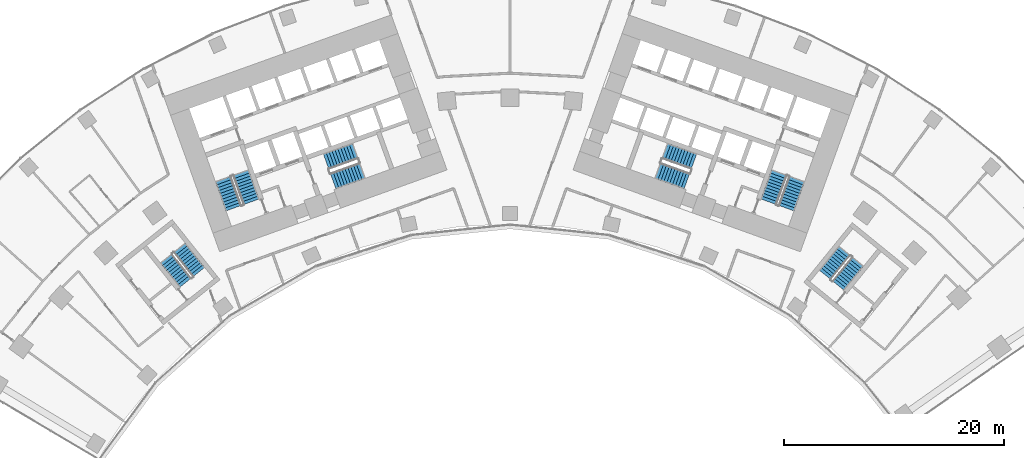
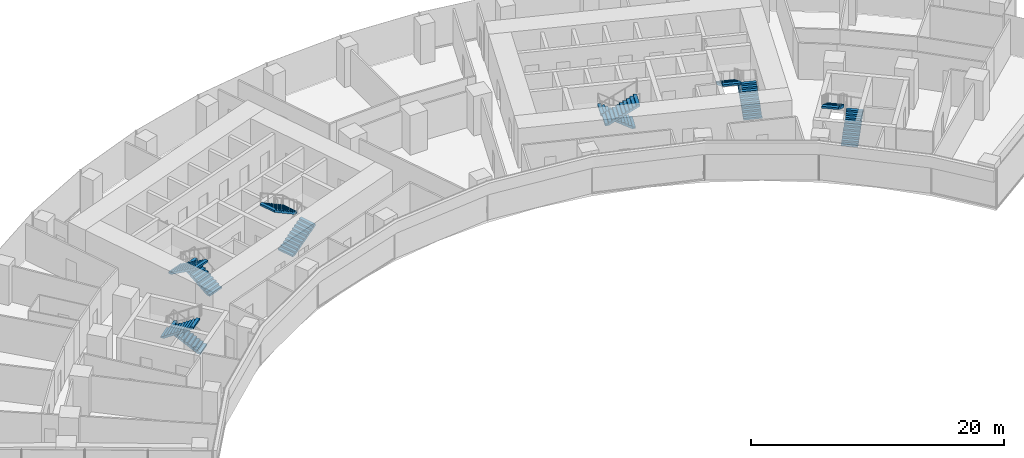
# One storey, part 19 of 21: 12 stair flights, 6 elements without a shape of their own.
"""IFC4 building model written with IfcOpenShell, lengths in metres."""

from ifc_helpers import new_model, si_unit, direction, frame, origin, place, context, subcontext, project, spatial, polyline, outline, extrude, material, type_object, element, aggregate, save


model = new_model("IFC4")

# Units and contexts
model_context = context("Model", 3, precision=1e-05, world=origin(), true_north=direction((0.0, 1.0)))
body_context = subcontext(model_context, "Body", "Model", "MODEL_VIEW")
ifc_project = project(units=[si_unit("LENGTHUNIT", "METRE"), si_unit("AREAUNIT", "SQUARE_METRE"), si_unit("VOLUMEUNIT", "CUBIC_METRE"), si_unit("PLANEANGLEUNIT", "RADIAN"), si_unit("MASSUNIT", "GRAM", prefix="KILO")], contexts=[model_context])

# Site, building, storey
site_placement = place(None, origin())
site = spatial("IfcSite", under=ifc_project, at=site_placement, CompositionType="ELEMENT")
building_placement = place(site_placement, origin())
building = spatial("IfcBuilding", under=site, at=building_placement, Name="Stone Belt Terrace Tower", CompositionType="ELEMENT")
storey_placement = place(building_placement, frame((0.0, 0.0, 60.39990234375)))
storey = spatial("IfcBuildingStorey", under=building, at=storey_placement, Name="L14", CompositionType="ELEMENT", Elevation=60.39990234375)

# Stair, stair flights
ifc_material = material(Name="Concrete B40", Category="concrete")
stair_type = type_object("IfcStairType", Name="Exit stair 1500", PredefinedType="HALF_TURN_STAIR", material=ifc_material)
stair_1_placement = place(storey_placement, origin())
stair_1 = element("IfcStair", 1, at=stair_1_placement, inside=storey, type_object=stair_type, Name="L14 Exit stair 1 core A", PredefinedType="HALF_TURN_STAIR")
stair_flight_type = type_object("IfcStairFlightType", Name="Stair flight 1500", PredefinedType="STRAIGHT", material=ifc_material)
stair_flight_1_placement = place(storey_placement, frame((-23.55322265625, 45.51318359375, 0.0), z_axis=(0.0, 0.0, 1.0), x_axis=(-0.338624396177, 0.940921632398, 0.0)))
stair_flight_1 = element("IfcStairFlight", 2, at=stair_flight_1_placement, type_object=stair_flight_type, Name="ST1A flight 1", NumberOfRisers=11, NumberOfTreads=10, PredefinedType="STRAIGHT", RiserHeight=0.172727273, TreadLength=0.28, context=body_context, shape_type="SweptSolid", body=[
    extrude(outline(polyline([(0.0, 0.0), (0.0, 0.172607421875), (0.280029296875, 0.172607421875), (0.280029296875, 0.345458984375), (0.56005859375, 0.345458984375), (0.56005859375, 0.51806640625), (0.840087890625, 0.51806640625), (0.840087890625, 0.69091796875), (1.1201171875, 0.69091796875), (1.1201171875, 0.863525390625), (1.39990234375, 0.863525390625), (1.39990234375, 1.036376953125), (1.679931640625, 1.036376953125), (1.679931640625, 1.208984375), (1.9599609375, 1.208984375), (1.9599609375, 1.3818359375), (2.239990234375, 1.3818359375), (2.239990234375, 1.554443359375), (2.52001953125, 1.554443359375), (2.52001953125, 1.727294921875), (2.800048828125, 1.727294921875), (2.800048828125, 1.89990234375), (2.800048828125, 1.551025390625), (0.285400390625, 0.0), (0.0, 0.0)])), frame((0.0, 0.75, 0.0), z_axis=(0.0, -1.0, 0.0), x_axis=(1.0, 0.0, 0.0)), (0.0, 0.0, 1.0), 1.5),
])
stair_flight_2_placement = place(storey_placement, frame((-26.10107421875, 47.572021484375, 1.900146484375), z_axis=(0.0, 0.0, 1.0), x_axis=(0.338624396177, -0.940921632398, 0.0)))
stair_flight_2 = element("IfcStairFlight", 3, at=stair_flight_2_placement, type_object=stair_flight_type, Name="ST1A flight 2", NumberOfRisers=11, NumberOfTreads=10, PredefinedType="STRAIGHT", RiserHeight=0.172727273, TreadLength=0.28, context=body_context, shape_type="SweptSolid", body=[
    extrude(outline(polyline([(0.0, 0.0), (0.0, 0.172607421875), (0.280029296875, 0.172607421875), (0.280029296875, 0.345458984375), (0.56005859375, 0.345458984375), (0.56005859375, 0.51806640625), (0.840087890625, 0.51806640625), (0.840087890625, 0.69091796875), (1.1201171875, 0.69091796875), (1.1201171875, 0.863525390625), (1.39990234375, 0.863525390625), (1.39990234375, 1.036376953125), (1.679931640625, 1.036376953125), (1.679931640625, 1.208984375), (1.9599609375, 1.208984375), (1.9599609375, 1.3818359375), (2.239990234375, 1.3818359375), (2.239990234375, 1.554443359375), (2.52001953125, 1.554443359375), (2.52001953125, 1.727294921875), (2.800048828125, 1.727294921875), (2.800048828125, 1.89990234375), (2.800048828125, 1.551025390625), (0.285400390625, 0.0), (0.0, 0.0)])), frame((0.0, 0.75, 0.0), z_axis=(0.0, -1.0, 0.0), x_axis=(1.0, 0.0, 0.0)), (0.0, 0.0, 1.0), 1.5),
])
aggregate(stair_1, [stair_flight_1, stair_flight_2])

stair_2_placement = place(storey_placement, origin())
stair_2 = element("IfcStair", 4, at=stair_2_placement, inside=storey, type_object=stair_type, Name="L14 Exit stair 2 core A", PredefinedType="HALF_TURN_STAIR")
stair_flight_3_placement = place(storey_placement, frame((-16.101318359375, 47.39794921875, 0.0), z_axis=(0.0, 0.0, 1.0), x_axis=(0.940921632398, 0.338624396177, 0.0)))
stair_flight_3 = element("IfcStairFlight", 5, at=stair_flight_3_placement, type_object=stair_flight_type, Name="ST2A flight 1", NumberOfRisers=11, NumberOfTreads=10, PredefinedType="STRAIGHT", RiserHeight=0.172727273, TreadLength=0.28, context=body_context, shape_type="SweptSolid", body=[
    extrude(outline(polyline([(0.0, 0.0), (0.0, 0.172607421875), (0.280029296875, 0.172607421875), (0.280029296875, 0.345458984375), (0.56005859375, 0.345458984375), (0.56005859375, 0.51806640625), (0.840087890625, 0.51806640625), (0.840087890625, 0.69091796875), (1.1201171875, 0.69091796875), (1.1201171875, 0.863525390625), (1.39990234375, 0.863525390625), (1.39990234375, 1.036376953125), (1.679931640625, 1.036376953125), (1.679931640625, 1.208984375), (1.9599609375, 1.208984375), (1.9599609375, 1.3818359375), (2.239990234375, 1.3818359375), (2.239990234375, 1.554443359375), (2.52001953125, 1.554443359375), (2.52001953125, 1.727294921875), (2.800048828125, 1.727294921875), (2.800048828125, 1.89990234375), (2.800048828125, 1.551025390625), (0.285400390625, 0.0), (0.0, 0.0)])), frame((0.0, 0.75, 0.0), z_axis=(0.0, -1.0, 0.0), x_axis=(1.0, 0.0, 0.0)), (0.0, 0.0, 1.0), 1.5),
])
stair_flight_4_placement = place(storey_placement, frame((-14.110107421875, 50.1337890625, 1.900146484375), z_axis=(0.0, 0.0, 1.0), x_axis=(-0.940921632398, -0.338624396177, 0.0)))
stair_flight_4 = element("IfcStairFlight", 6, at=stair_flight_4_placement, type_object=stair_flight_type, Name="ST2A flight 2", NumberOfRisers=11, NumberOfTreads=10, PredefinedType="STRAIGHT", RiserHeight=0.172727273, TreadLength=0.28, context=body_context, shape_type="SweptSolid", body=[
    extrude(outline(polyline([(0.0, 0.0), (0.0, 0.172607421875), (0.280029296875, 0.172607421875), (0.280029296875, 0.345458984375), (0.56005859375, 0.345458984375), (0.56005859375, 0.51806640625), (0.840087890625, 0.51806640625), (0.840087890625, 0.69091796875), (1.1201171875, 0.69091796875), (1.1201171875, 0.863525390625), (1.39990234375, 0.863525390625), (1.39990234375, 1.036376953125), (1.679931640625, 1.036376953125), (1.679931640625, 1.208984375), (1.9599609375, 1.208984375), (1.9599609375, 1.3818359375), (2.239990234375, 1.3818359375), (2.239990234375, 1.554443359375), (2.52001953125, 1.554443359375), (2.52001953125, 1.727294921875), (2.800048828125, 1.727294921875), (2.800048828125, 1.89990234375), (2.800048828125, 1.551025390625), (0.285400390625, 0.0), (0.0, 0.0)])), frame((0.0, 0.75, 0.0), z_axis=(0.0, -1.0, 0.0), x_axis=(1.0, 0.0, 0.0)), (0.0, 0.0, 1.0), 1.5),
])
aggregate(stair_2, [stair_flight_3, stair_flight_4])

stair_3_placement = place(storey_placement, origin())
stair_3 = element("IfcStair", 7, at=stair_3_placement, inside=storey, type_object=stair_type, Name="L14 Exit stair 1 core B", PredefinedType="HALF_TURN_STAIR")
stair_flight_5_placement = place(storey_placement, frame((25.15283203125, 44.9375, 0.0), z_axis=(0.0, 0.0, 1.0), x_axis=(0.338624396177, 0.940921632398, 0.0)))
stair_flight_5 = element("IfcStairFlight", 8, at=stair_flight_5_placement, type_object=stair_flight_type, Name="ST1B flight 1", NumberOfRisers=11, NumberOfTreads=10, PredefinedType="STRAIGHT", RiserHeight=0.172727273, TreadLength=0.28, context=body_context, shape_type="SweptSolid", body=[
    extrude(outline(polyline([(0.0, 0.0), (0.0, 0.172607421875), (0.280029296875, 0.172607421875), (0.280029296875, 0.345458984375), (0.56005859375, 0.345458984375), (0.56005859375, 0.51806640625), (0.840087890625, 0.51806640625), (0.840087890625, 0.69091796875), (1.1201171875, 0.69091796875), (1.1201171875, 0.863525390625), (1.39990234375, 0.863525390625), (1.39990234375, 1.036376953125), (1.679931640625, 1.036376953125), (1.679931640625, 1.208984375), (1.9599609375, 1.208984375), (1.9599609375, 1.3818359375), (2.239990234375, 1.3818359375), (2.239990234375, 1.554443359375), (2.52001953125, 1.554443359375), (2.52001953125, 1.727294921875), (2.800048828125, 1.727294921875), (2.800048828125, 1.89990234375), (2.800048828125, 1.551025390625), (0.285400390625, 0.0), (0.0, 0.0)])), frame((0.0, 0.75, 0.0), z_axis=(0.0, -1.0, 0.0), x_axis=(1.0, 0.0, 0.0)), (0.0, 0.0, 1.0), 1.5),
])
stair_flight_6_placement = place(storey_placement, frame((24.50146484375, 48.147705078125, 1.900146484375), z_axis=(0.0, 0.0, 1.0), x_axis=(-0.338624396177, -0.940921632398, 0.0)))
stair_flight_6 = element("IfcStairFlight", 9, at=stair_flight_6_placement, type_object=stair_flight_type, Name="ST1B flight 2", NumberOfRisers=11, NumberOfTreads=10, PredefinedType="STRAIGHT", RiserHeight=0.172727273, TreadLength=0.28, context=body_context, shape_type="SweptSolid", body=[
    extrude(outline(polyline([(0.0, 0.0), (0.0, 0.172607421875), (0.280029296875, 0.172607421875), (0.280029296875, 0.345458984375), (0.56005859375, 0.345458984375), (0.56005859375, 0.51806640625), (0.840087890625, 0.51806640625), (0.840087890625, 0.69091796875), (1.1201171875, 0.69091796875), (1.1201171875, 0.863525390625), (1.39990234375, 0.863525390625), (1.39990234375, 1.036376953125), (1.679931640625, 1.036376953125), (1.679931640625, 1.208984375), (1.9599609375, 1.208984375), (1.9599609375, 1.3818359375), (2.239990234375, 1.3818359375), (2.239990234375, 1.554443359375), (2.52001953125, 1.554443359375), (2.52001953125, 1.727294921875), (2.800048828125, 1.727294921875), (2.800048828125, 1.89990234375), (2.800048828125, 1.551025390625), (0.285400390625, 0.0), (0.0, 0.0)])), frame((0.0, 0.75, 0.0), z_axis=(0.0, -1.0, 0.0), x_axis=(1.0, 0.0, 0.0)), (0.0, 0.0, 1.0), 1.5),
])
aggregate(stair_3, [stair_flight_5, stair_flight_6])

stair_4_placement = place(storey_placement, origin())
stair_4 = element("IfcStair", 10, at=stair_4_placement, inside=storey, type_object=stair_type, Name="L14 Exit stair 2 core B", PredefinedType="HALF_TURN_STAIR")
stair_flight_7_placement = place(storey_placement, frame((16.74462890625, 49.185546875, 0.0), z_axis=(0.0, 0.0, 1.0), x_axis=(-0.940921632398, 0.338624396177, 0.0)))
stair_flight_7 = element("IfcStairFlight", 11, at=stair_flight_7_placement, type_object=stair_flight_type, Name="ST2B flight 1", NumberOfRisers=11, NumberOfTreads=10, PredefinedType="STRAIGHT", RiserHeight=0.172727273, TreadLength=0.28, context=body_context, shape_type="SweptSolid", body=[
    extrude(outline(polyline([(0.0, 0.0), (0.0, 0.172607421875), (0.280029296875, 0.172607421875), (0.280029296875, 0.345458984375), (0.56005859375, 0.345458984375), (0.56005859375, 0.51806640625), (0.840087890625, 0.51806640625), (0.840087890625, 0.69091796875), (1.1201171875, 0.69091796875), (1.1201171875, 0.863525390625), (1.39990234375, 0.863525390625), (1.39990234375, 1.036376953125), (1.679931640625, 1.036376953125), (1.679931640625, 1.208984375), (1.9599609375, 1.208984375), (1.9599609375, 1.3818359375), (2.239990234375, 1.3818359375), (2.239990234375, 1.554443359375), (2.52001953125, 1.554443359375), (2.52001953125, 1.727294921875), (2.800048828125, 1.727294921875), (2.800048828125, 1.89990234375), (2.800048828125, 1.551025390625), (0.285400390625, 0.0), (0.0, 0.0)])), frame((0.0, 0.75, 0.0), z_axis=(0.0, -1.0, 0.0), x_axis=(1.0, 0.0, 0.0)), (0.0, 0.0, 1.0), 1.5),
])
stair_flight_8_placement = place(storey_placement, frame((13.466796875, 48.345947265625, 1.900146484375), z_axis=(0.0, 0.0, 1.0), x_axis=(0.940921632398, -0.338624396177, 0.0)))
stair_flight_8 = element("IfcStairFlight", 12, at=stair_flight_8_placement, type_object=stair_flight_type, Name="ST2B flight 2", NumberOfRisers=11, NumberOfTreads=10, PredefinedType="STRAIGHT", RiserHeight=0.172727273, TreadLength=0.28, context=body_context, shape_type="SweptSolid", body=[
    extrude(outline(polyline([(0.0, 0.0), (0.0, 0.172607421875), (0.280029296875, 0.172607421875), (0.280029296875, 0.345458984375), (0.56005859375, 0.345458984375), (0.56005859375, 0.51806640625), (0.840087890625, 0.51806640625), (0.840087890625, 0.69091796875), (1.1201171875, 0.69091796875), (1.1201171875, 0.863525390625), (1.39990234375, 0.863525390625), (1.39990234375, 1.036376953125), (1.679931640625, 1.036376953125), (1.679931640625, 1.208984375), (1.9599609375, 1.208984375), (1.9599609375, 1.3818359375), (2.239990234375, 1.3818359375), (2.239990234375, 1.554443359375), (2.52001953125, 1.554443359375), (2.52001953125, 1.727294921875), (2.800048828125, 1.727294921875), (2.800048828125, 1.89990234375), (2.800048828125, 1.551025390625), (0.285400390625, 0.0), (0.0, 0.0)])), frame((0.0, 0.75, 0.0), z_axis=(0.0, -1.0, 0.0), x_axis=(1.0, 0.0, 0.0)), (0.0, 0.0, 1.0), 1.5),
])
aggregate(stair_4, [stair_flight_7, stair_flight_8])

stair_5_placement = place(storey_placement, origin())
stair_5 = element("IfcStair", 13, at=stair_5_placement, inside=storey, type_object=stair_type, Name="L14 Exit stair 3A", PredefinedType="HALF_TURN_STAIR")
stair_flight_9_placement = place(storey_placement, frame((-28.325439453125, 39.1240234375, 0.0), z_axis=(0.0, 0.0, 1.0), x_axis=(-0.623121363691, 0.782125160132, 0.0)))
stair_flight_9 = element("IfcStairFlight", 14, at=stair_flight_9_placement, type_object=stair_flight_type, Name="ST3A flight 1", NumberOfRisers=11, NumberOfTreads=10, PredefinedType="STRAIGHT", RiserHeight=0.172727273, TreadLength=0.28, context=body_context, shape_type="SweptSolid", body=[
    extrude(outline(polyline([(0.0, 0.0), (0.0, 0.172607421875), (0.280029296875, 0.172607421875), (0.280029296875, 0.345458984375), (0.56005859375, 0.345458984375), (0.56005859375, 0.51806640625), (0.840087890625, 0.51806640625), (0.840087890625, 0.69091796875), (1.1201171875, 0.69091796875), (1.1201171875, 0.863525390625), (1.39990234375, 0.863525390625), (1.39990234375, 1.036376953125), (1.679931640625, 1.036376953125), (1.679931640625, 1.208984375), (1.9599609375, 1.208984375), (1.9599609375, 1.3818359375), (2.239990234375, 1.3818359375), (2.239990234375, 1.554443359375), (2.52001953125, 1.554443359375), (2.52001953125, 1.727294921875), (2.800048828125, 1.727294921875), (2.800048828125, 1.89990234375), (2.800048828125, 1.551025390625), (0.285400390625, 0.0), (0.0, 0.0)])), frame((0.0, 0.675048828125, 0.0), z_axis=(0.0, -1.0, 0.0), x_axis=(1.0, 0.0, 0.0)), (0.0, 0.0, 1.0), 1.35009765625),
])
stair_flight_10_placement = place(storey_placement, frame((-31.282470703125, 40.34814453125, 1.900146484375), z_axis=(0.0, 0.0, 1.0), x_axis=(0.623121363691, -0.782125160132, 0.0)))
stair_flight_10 = element("IfcStairFlight", 15, at=stair_flight_10_placement, type_object=stair_flight_type, Name="ST3A flight 2", NumberOfRisers=11, NumberOfTreads=10, PredefinedType="STRAIGHT", RiserHeight=0.172727273, TreadLength=0.28, context=body_context, shape_type="SweptSolid", body=[
    extrude(outline(polyline([(0.0, 0.0), (0.0, 0.172607421875), (0.280029296875, 0.172607421875), (0.280029296875, 0.345458984375), (0.56005859375, 0.345458984375), (0.56005859375, 0.51806640625), (0.840087890625, 0.51806640625), (0.840087890625, 0.69091796875), (1.1201171875, 0.69091796875), (1.1201171875, 0.863525390625), (1.39990234375, 0.863525390625), (1.39990234375, 1.036376953125), (1.679931640625, 1.036376953125), (1.679931640625, 1.208984375), (1.9599609375, 1.208984375), (1.9599609375, 1.3818359375), (2.239990234375, 1.3818359375), (2.239990234375, 1.554443359375), (2.52001953125, 1.554443359375), (2.52001953125, 1.727294921875), (2.800048828125, 1.727294921875), (2.800048828125, 1.89990234375), (2.800048828125, 1.551025390625), (0.285400390625, 0.0), (0.0, 0.0)])), frame((0.0, 0.675048828125, 0.0), z_axis=(0.0, -1.0, 0.0), x_axis=(1.0, 0.0, 0.0)), (0.0, 0.0, 1.0), 1.35009765625),
])
aggregate(stair_5, [stair_flight_9, stair_flight_10])

stair_6_placement = place(storey_placement, origin())
stair_6 = element("IfcStair", 16, at=stair_6_placement, inside=storey, type_object=stair_type, Name="L14 Exit stair 3B", PredefinedType="HALF_TURN_STAIR")
stair_flight_11_placement = place(storey_placement, frame((29.88330078125, 37.887939453125, 0.0), z_axis=(0.0, 0.0, 1.0), x_axis=(0.630205749599, 0.776428176441, 0.0)))
stair_flight_11 = element("IfcStairFlight", 17, at=stair_flight_11_placement, type_object=stair_flight_type, Name="ST3B flight 1", NumberOfRisers=11, NumberOfTreads=10, PredefinedType="STRAIGHT", RiserHeight=0.172727273, TreadLength=0.28, context=body_context, shape_type="SweptSolid", body=[
    extrude(outline(polyline([(0.0, 0.0), (0.0, 0.172607421875), (0.280029296875, 0.172607421875), (0.280029296875, 0.345458984375), (0.56005859375, 0.345458984375), (0.56005859375, 0.51806640625), (0.840087890625, 0.51806640625), (0.840087890625, 0.69091796875), (1.1201171875, 0.69091796875), (1.1201171875, 0.863525390625), (1.39990234375, 0.863525390625), (1.39990234375, 1.036376953125), (1.679931640625, 1.036376953125), (1.679931640625, 1.208984375), (1.9599609375, 1.208984375), (1.9599609375, 1.3818359375), (2.239990234375, 1.3818359375), (2.239990234375, 1.554443359375), (2.52001953125, 1.554443359375), (2.52001953125, 1.727294921875), (2.800048828125, 1.727294921875), (2.800048828125, 1.89990234375), (2.800048828125, 1.551025390625), (0.285400390625, 0.0), (0.0, 0.0)])), frame((0.0, 0.675048828125, 0.0), z_axis=(0.0, -1.0, 0.0), x_axis=(1.0, 0.0, 0.0)), (0.0, 0.0, 1.0), 1.35009765625),
])
stair_flight_12_placement = place(storey_placement, frame((30.4443359375, 41.038818359375, 1.900146484375), z_axis=(0.0, 0.0, 1.0), x_axis=(-0.630205749599, -0.776428176441, 0.0)))
stair_flight_12 = element("IfcStairFlight", 18, at=stair_flight_12_placement, type_object=stair_flight_type, Name="ST3B flight 2", NumberOfRisers=11, NumberOfTreads=10, PredefinedType="STRAIGHT", RiserHeight=0.172727273, TreadLength=0.28, context=body_context, shape_type="SweptSolid", body=[
    extrude(outline(polyline([(0.0, 0.0), (0.0, 0.172607421875), (0.280029296875, 0.172607421875), (0.280029296875, 0.345458984375), (0.56005859375, 0.345458984375), (0.56005859375, 0.51806640625), (0.840087890625, 0.51806640625), (0.840087890625, 0.69091796875), (1.1201171875, 0.69091796875), (1.1201171875, 0.863525390625), (1.39990234375, 0.863525390625), (1.39990234375, 1.036376953125), (1.679931640625, 1.036376953125), (1.679931640625, 1.208984375), (1.9599609375, 1.208984375), (1.9599609375, 1.3818359375), (2.239990234375, 1.3818359375), (2.239990234375, 1.554443359375), (2.52001953125, 1.554443359375), (2.52001953125, 1.727294921875), (2.800048828125, 1.727294921875), (2.800048828125, 1.89990234375), (2.800048828125, 1.551025390625), (0.285400390625, 0.0), (0.0, 0.0)])), frame((0.0, 0.675048828125, 0.0), z_axis=(0.0, -1.0, 0.0), x_axis=(1.0, 0.0, 0.0)), (0.0, 0.0, 1.0), 1.35009765625),
])
aggregate(stair_6, [stair_flight_11, stair_flight_12])

save(model, "model.ifc")
